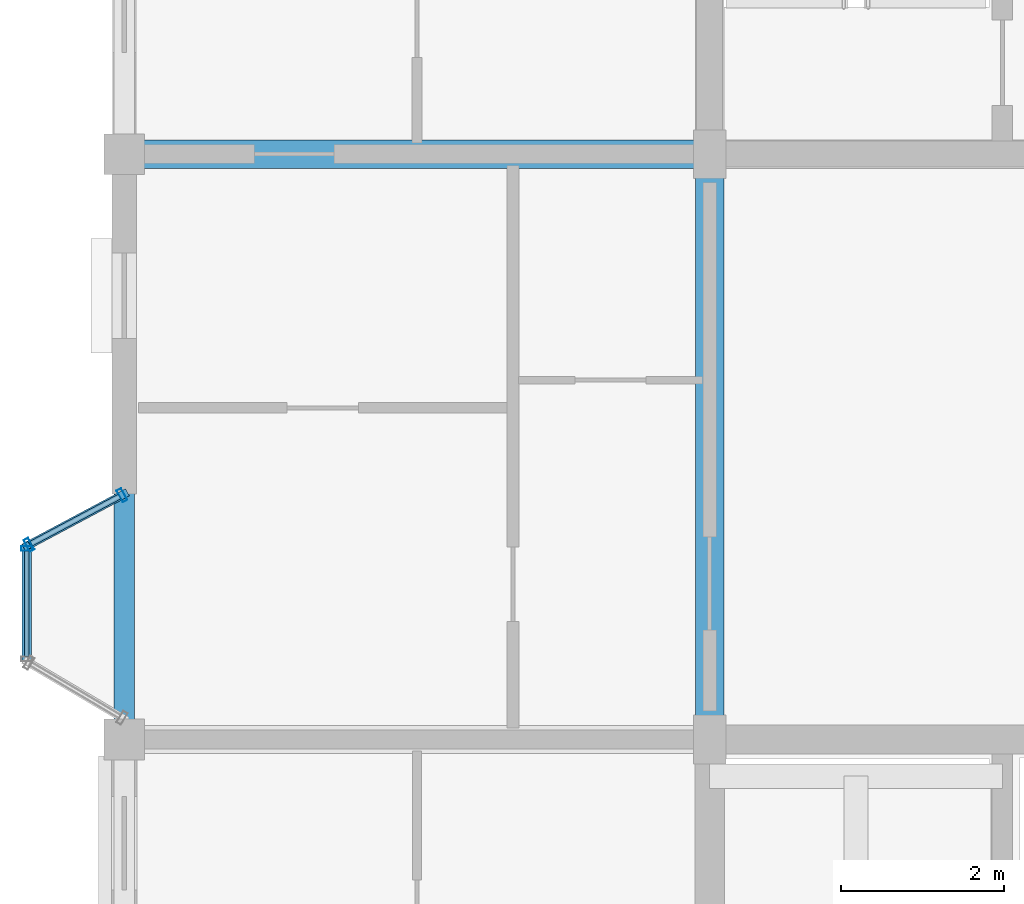
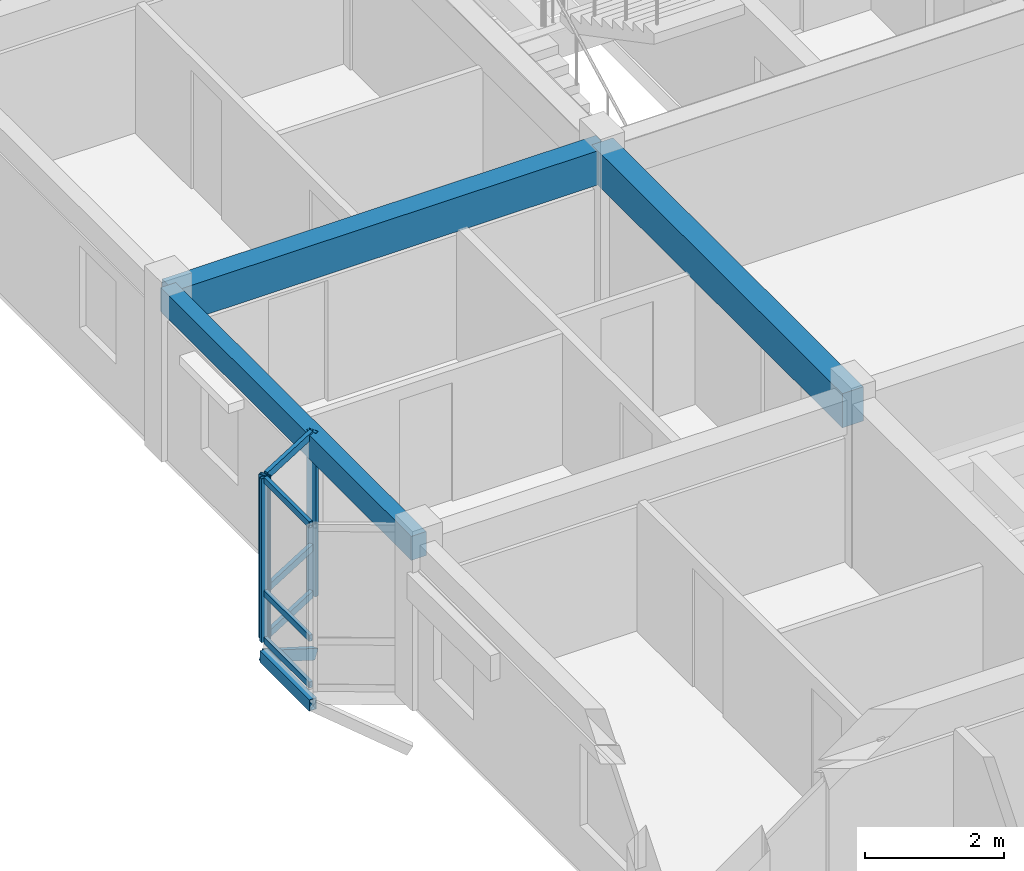
# One storey, part 10 of 70: 11 members, 3 beams, 2 elements without a shape of their own.
"""IFC4 building model written with IfcOpenShell, lengths in metres."""

from ifc_helpers import new_model, si_unit, direction, frame, origin, origin_2d, place, context, subcontext, project, spatial, rectangle, hollow_rectangle, extrude, material, layer, layer_set, material_profile, profile_set, type_object, element, aggregate, save


model = new_model("IFC4")

# Units and contexts
model_context = context("Model", 3, precision=1e-05, world=origin(), true_north=direction((0.0, 1.0)))
body_context = subcontext(model_context, "Body", "Model", "MODEL_VIEW")
ifc_project = project(units=[si_unit("LENGTHUNIT", "METRE"), si_unit("AREAUNIT", "SQUARE_METRE"), si_unit("VOLUMEUNIT", "CUBIC_METRE"), si_unit("PLANEANGLEUNIT", "RADIAN"), si_unit("MASSUNIT", "GRAM", prefix="KILO"), si_unit("THERMODYNAMICTEMPERATUREUNIT", "KELVIN"), si_unit("POWERUNIT", "WATT")], contexts=[model_context])

# Site, building, storey
site_placement = place(None, origin())
site = spatial("IfcSite", under=ifc_project, at=site_placement, CompositionType="ELEMENT")
building_placement = place(site_placement, origin())
building = spatial("IfcBuilding", under=site, at=building_placement, Name="Tavuni Mirador Residences", CompositionType="ELEMENT")
storey_placement = place(building_placement, frame((0.0, 0.0, 23.39990234375)))
storey = spatial("IfcBuildingStorey", under=building, at=storey_placement, Name="L07", CompositionType="ELEMENT", Elevation=23.39990234375)

# Beams
ifc_material_1 = material(Name="Precast concrete C40/50", Category="concrete")
ifc_material_profile_1 = material_profile(ifc_material_1, rectangle(XDim=0.35009765625, YDim=0.60009765625, at=origin_2d()), Name="PC 350x600", Category="concrete")
ifc_profile_set_1 = profile_set([ifc_material_profile_1], Name="Precast concrete C40/50")
beam_type_1 = type_object("IfcBeamType", Name="BT-B600", PredefinedType="BEAM", material=ifc_profile_set_1)
for number, where, z_axis, x_axis, name in (
    (1, (3.60009765625, 28.800048828125, 2.570068359375), (1.0, 0.0, 0.0), (0.0, 1.0, 0.0), "BMX-BLK-A-L07-00-03"),
    (2, (10.800048828125, 21.60009765625, 2.570068359375), (0.0, 1.0, 0.0), (-1.0, 0.0, 0.0), "BMY-BLK-A-L07-01-02"),
):
    element("IfcBeam", number, at=place(storey_placement, frame(where, z_axis=z_axis, x_axis=x_axis)), inside=storey, type_object=beam_type_1, Name=name, PredefinedType="BEAM", context=body_context, shape_type="SweptSolid", body=[
        extrude(rectangle(XDim=0.35009765625, YDim=0.60009765625, at=origin_2d()), origin(), (0.0, 0.0, 1.0), 7.199951171875),
    ])
ifc_material_profile_2 = material_profile(ifc_material_1, rectangle(XDim=0.25, YDim=0.419921875, at=origin_2d()), Name="PC 250x420", Category="concrete")
ifc_profile_set_2 = profile_set([ifc_material_profile_2], Name="Precast concrete C40/50")
beam_type_2 = type_object("IfcBeamType", Name="BT-SP420", PredefinedType="SPANDREL", material=ifc_profile_set_2)
beam_placement = place(storey_placement, frame((3.60009765625, 21.60009765625, 2.66015625), z_axis=(0.0, 1.0, 0.0), x_axis=(-1.0, 0.0, 0.0)))
element("IfcBeam", 3, at=beam_placement, inside=storey, type_object=beam_type_2, Name="BMY-BLK-A-L07-00-02", PredefinedType="SPANDREL", context=body_context, shape_type="SweptSolid", body=[
    extrude(rectangle(XDim=0.25, YDim=0.419921875, at=origin_2d()), origin(), (0.0, 0.0, 1.0), 7.199951171875),
])

# Curtain wall, member
ifc_material_2 = material(Name="Anodised aluminium", Category="aluminium")
ifc_layer_1 = layer(ifc_material_2, 0.1650390625, Name="Anodised aluminium", Category="aluminium")
ifc_layer_set_1 = layer_set([ifc_layer_1], Name="Anodised aluminium")
curtain_wall_type_1 = type_object("IfcCurtainWallType", Name="CWT-MIR-A", PredefinedType="NOTDEFINED", material=ifc_layer_set_1)
curtain_wall_1_placement = place(storey_placement, origin())
curtain_wall_1 = element("IfcCurtainWall", 4, at=curtain_wall_1_placement, inside=storey, type_object=curtain_wall_type_1, Name="CW-MIR-A-W2-L07-MF", PredefinedType="NOTDEFINED")
ifc_material_profile_3 = material_profile(ifc_material_2, hollow_rectangle(XDim=0.06005859375, YDim=0.139892578125, WallThickness=0.00390625, at=origin_2d()), Name="ALU 60x140x4.0", Category="aluminium")
ifc_profile_set_3 = profile_set([ifc_material_profile_3], Name="Anodised aluminium")
member_type_1 = type_object("IfcMemberType", Name="CWM-140", PredefinedType="MULLION", material=ifc_profile_set_3)
member_1_placement = place(storey_placement, frame((2.39990234375, 23.949951171875, 0.0), z_axis=(0.0, 0.0, 1.0), x_axis=(0.0, -1.0, 0.0)))
member_1 = element("IfcMember", 5, at=member_1_placement, type_object=member_type_1, Name="CW-01 mullion 1", PredefinedType="MULLION", context=body_context, shape_type="SweptSolid", body=[
    extrude(hollow_rectangle(XDim=0.06005859375, YDim=0.139892578125, WallThickness=0.00390625, at=origin_2d()), origin(), (0.0, 0.0, 1.0), 2.8701171875),
])

# Curtain wall, members
ifc_layer_2 = layer(ifc_material_2, 0.159912109375, Name="Anodised aluminium", Category="aluminium")
ifc_layer_set_2 = layer_set([ifc_layer_2], Name="Anodised aluminium")
curtain_wall_type_2 = type_object("IfcCurtainWallType", Name="CWT-MIR-D", PredefinedType="NOTDEFINED", material=ifc_layer_set_2)
curtain_wall_2_placement = place(storey_placement, origin())
curtain_wall_2 = element("IfcCurtainWall", 6, at=curtain_wall_2_placement, inside=storey, type_object=curtain_wall_type_2, Name="CW-MIR-A-W2-L07-M1", PredefinedType="NOTDEFINED")
ifc_material_profile_4 = material_profile(ifc_material_2, hollow_rectangle(XDim=0.06494140625, YDim=0.1650390625, WallThickness=0.00439453125, at=origin_2d()), Name="ALU 65x165x4.5", Category="aluminium")
ifc_profile_set_4 = profile_set([ifc_material_profile_4], Name="Anodised aluminium")
member_type_2 = type_object("IfcMemberType", Name="CWM-165", PredefinedType="MULLION", material=ifc_profile_set_4)
member_2_placement = place(storey_placement, frame((3.5712890625, 24.604736328125, 0.0), z_axis=(0.0, 0.0, 1.0), x_axis=(-0.882352941175, -0.470588235296, 0.0)))
member_2 = element("IfcMember", 7, at=member_2_placement, type_object=member_type_2, Name="CW-04 mullion 1", PredefinedType="MULLION", context=body_context, shape_type="SweptSolid", body=[
    extrude(hollow_rectangle(XDim=0.06494140625, YDim=0.1650390625, WallThickness=0.00439453125, at=origin_2d()), origin(), (0.0, 0.0, 1.0), 2.8701171875),
])
member_3_placement = place(storey_placement, frame((2.4287109375, 23.995361328125, 0.0), z_axis=(0.0, 0.0, 1.0), x_axis=(-0.882352941175, -0.470588235296, 0.0)))
member_3 = element("IfcMember", 8, at=member_3_placement, type_object=member_type_2, Name="CW-04 mullion 2", PredefinedType="MULLION", context=body_context, shape_type="SweptSolid", body=[
    extrude(hollow_rectangle(XDim=0.06494140625, YDim=0.1650390625, WallThickness=0.00439453125, at=origin_2d()), origin(), (0.0, 0.0, 1.0), 2.8701171875),
])

# Member
ifc_material_profile_5 = material_profile(ifc_material_2, hollow_rectangle(XDim=0.06005859375, YDim=0.110107421875, WallThickness=0.00390625, at=origin_2d()), Name="ALU 60x110x4.0", Category="aluminium")
ifc_profile_set_5 = profile_set([ifc_material_profile_5], Name="Anodised aluminium")
member_type_3 = type_object("IfcMemberType", Name="CWT-110", PredefinedType="USERDEFINED", material=ifc_profile_set_5)
member_4_placement = place(storey_placement, frame((2.39990234375, 23.919921875, 0.030029296875), z_axis=(0.0, -1.0, 0.0), x_axis=(1.0, 0.0, 0.0)))
member_4 = element("IfcMember", 9, at=member_4_placement, type_object=member_type_3, Name="CW-01 transom 1.1", ObjectType="TRANSOM", PredefinedType="USERDEFINED", context=body_context, shape_type="SweptSolid", body=[
    extrude(hollow_rectangle(XDim=0.06005859375, YDim=0.110107421875, WallThickness=0.00390625, at=origin_2d()), origin(), (0.0, 0.0, 1.0), 1.2998046875),
])

member_5_placement = place(storey_placement, frame((2.39990234375, 23.919921875, 0.85009765625), z_axis=(0.0, -1.0, 0.0), x_axis=(1.0, 0.0, 0.0)))
member_5 = element("IfcMember", 10, at=member_5_placement, type_object=member_type_3, Name="CW-01 transom 1.2", ObjectType="TRANSOM", PredefinedType="USERDEFINED", context=body_context, shape_type="SweptSolid", body=[
    extrude(hollow_rectangle(XDim=0.06005859375, YDim=0.110107421875, WallThickness=0.00390625, at=origin_2d()), origin(), (0.0, 0.0, 1.0), 1.2998046875),
])

member_6_placement = place(storey_placement, frame((2.39990234375, 23.919921875, 2.840087890625), z_axis=(0.0, -1.0, 0.0), x_axis=(1.0, 0.0, 0.0)))
member_6 = element("IfcMember", 11, at=member_6_placement, type_object=member_type_3, Name="CW-01 transom 1.3", ObjectType="TRANSOM", PredefinedType="USERDEFINED", context=body_context, shape_type="SweptSolid", body=[
    extrude(hollow_rectangle(XDim=0.06005859375, YDim=0.110107421875, WallThickness=0.00390625, at=origin_2d()), origin(), (0.0, 0.0, 1.0), 1.2998046875),
])

aggregate(curtain_wall_1, [member_1, member_4, member_5, member_6])

ifc_material_profile_6 = material_profile(ifc_material_2, hollow_rectangle(XDim=0.06494140625, YDim=0.125, WallThickness=0.00439453125, at=origin_2d()), Name="ALU 65x125x4.5", Category="aluminium")
ifc_profile_set_6 = profile_set([ifc_material_profile_6], Name="Anodised aluminium")
member_type_4 = type_object("IfcMemberType", Name="CWT-125", PredefinedType="USERDEFINED", material=ifc_profile_set_6)
member_7_placement = place(storey_placement, frame((3.542724609375, 24.58935546875, 0.03271484375), z_axis=(-0.882369422046, -0.47055733236, 0.0), x_axis=(0.47055733236, -0.882369422046, 0.0)))
member_7 = element("IfcMember", 12, at=member_7_placement, type_object=member_type_4, Name="CW-04 transom 1.1", ObjectType="TRANSOM", PredefinedType="USERDEFINED", context=body_context, shape_type="SweptSolid", body=[
    extrude(hollow_rectangle(XDim=0.06494140625, YDim=0.125, WallThickness=0.00439453125, at=origin_2d()), origin(), (0.0, 0.0, 1.0), 1.230224609375),
])

member_8_placement = place(storey_placement, frame((3.542724609375, 24.58935546875, 0.85009765625), z_axis=(-0.882369422046, -0.47055733236, 0.0), x_axis=(0.47055733236, -0.882369422046, 0.0)))
member_8 = element("IfcMember", 13, at=member_8_placement, type_object=member_type_4, Name="CW-04 transom 1.2", ObjectType="TRANSOM", PredefinedType="USERDEFINED", context=body_context, shape_type="SweptSolid", body=[
    extrude(hollow_rectangle(XDim=0.06494140625, YDim=0.125, WallThickness=0.00439453125, at=origin_2d()), origin(), (0.0, 0.0, 1.0), 1.230224609375),
])

member_9_placement = place(storey_placement, frame((3.542724609375, 24.58935546875, 2.837646484375), z_axis=(-0.882369422046, -0.47055733236, 0.0), x_axis=(0.47055733236, -0.882369422046, 0.0)))
member_9 = element("IfcMember", 14, at=member_9_placement, type_object=member_type_4, Name="CW-04 transom 1.3", ObjectType="TRANSOM", PredefinedType="USERDEFINED", context=body_context, shape_type="SweptSolid", body=[
    extrude(hollow_rectangle(XDim=0.06494140625, YDim=0.125, WallThickness=0.00439453125, at=origin_2d()), origin(), (0.0, 0.0, 1.0), 1.230224609375),
])

aggregate(curtain_wall_2, [member_2, member_3, member_7, member_8, member_9])

# Members
ifc_material_3 = material(Name="Structural steel S355", Category="steel")
ifc_material_profile_7 = material_profile(ifc_material_3, hollow_rectangle(XDim=0.10009765625, YDim=0.179931640625, WallThickness=0.008056640625, at=origin_2d()), Name="RHS 180x100x8.0", Category="steel")
ifc_profile_set_7 = profile_set([ifc_material_profile_7], Name="Structural steel S355")
member_type_5 = type_object("IfcMemberType", Name="MT-BR-RHS180", PredefinedType="BRACE", material=ifc_profile_set_7)
member_10_placement = place(storey_placement, frame((3.60009765625, 24.6201171875, -1.0498046875), z_axis=(-0.767847080655, -0.409539268811, 0.492634192918), x_axis=(0.470606866739, -0.882343004153, 0.0)))
element("IfcMember", 15, at=member_10_placement, inside=storey, type_object=member_type_5, Name="MBRK-MIR-A-W2-L07-2", PredefinedType="BRACE", context=body_context, shape_type="SweptSolid", body=[
    extrude(hollow_rectangle(XDim=0.10009765625, YDim=0.179931640625, WallThickness=0.008056640625, at=origin_2d()), origin(), (0.0, 0.0, 1.0), 1.56298828125),
])
ifc_material_profile_8 = material_profile(ifc_material_3, hollow_rectangle(XDim=0.1201171875, YDim=0.199951171875, WallThickness=0.010009765625, at=origin_2d()), Name="RHS 200x120x10.0", Category="steel")
ifc_profile_set_8 = profile_set([ifc_material_profile_8], Name="Structural steel S355")
member_type_6 = type_object("IfcMemberType", Name="MT-ST-RHS200", PredefinedType="STRUT", material=ifc_profile_set_8)
member_11_placement = place(storey_placement, frame((2.39990234375, 22.56005859375, -0.27978515625), z_axis=(0.0, 1.0, 0.0), x_axis=(-1.0, 0.0, 0.0)))
element("IfcMember", 16, at=member_11_placement, inside=storey, type_object=member_type_6, Name="MRIM-MIR-A-W2-L07", PredefinedType="STRUT", context=body_context, shape_type="SweptSolid", body=[
    extrude(hollow_rectangle(XDim=0.1201171875, YDim=0.199951171875, WallThickness=0.010009765625, at=origin_2d()), origin(), (0.0, 0.0, 1.0), 1.419921875),
])

save(model, "model.ifc")
